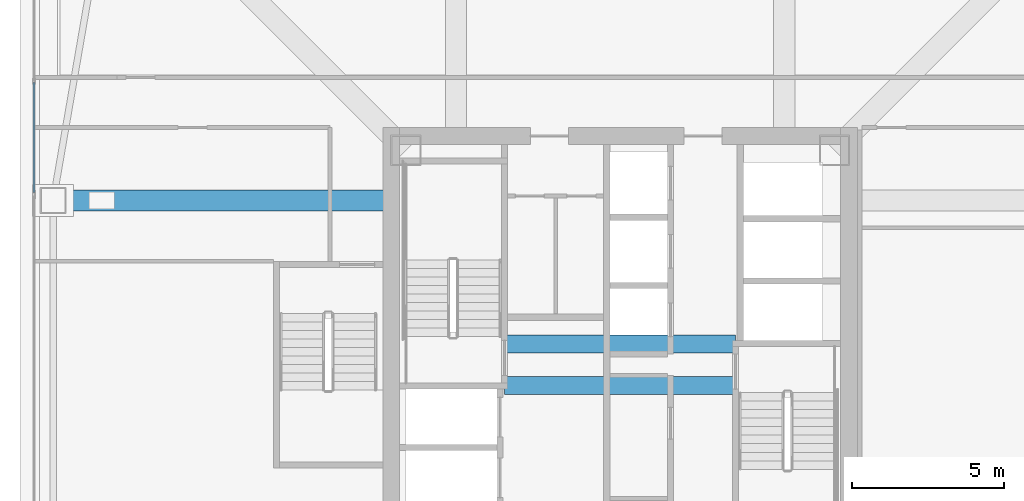
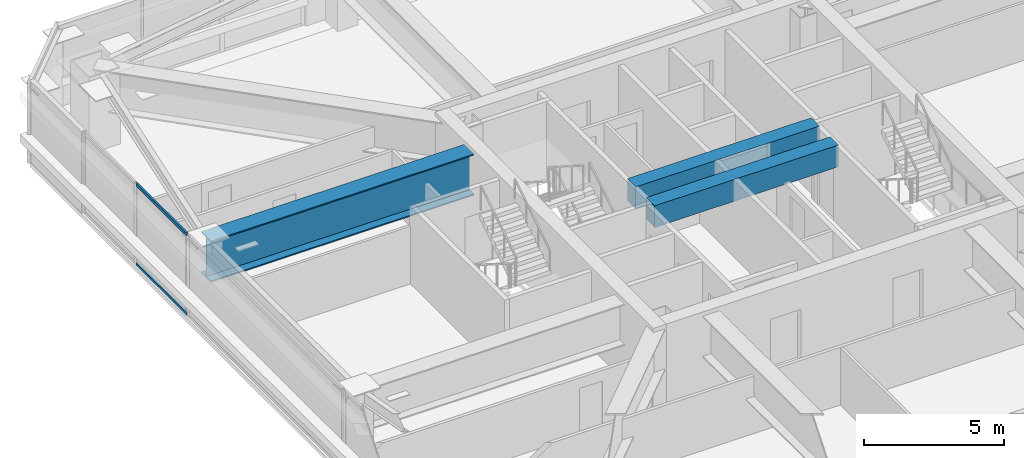
# One storey, part 8 of 42: 3 beams, 2 members, 1 element without a shape of its own.
"""IFC4 building model written with IfcOpenShell, lengths in metres."""

from ifc_helpers import new_model, si_unit, direction, frame, origin, origin_2d, place, context, subcontext, project, spatial, rectangle, hollow_rectangle, i_section, extrude, material, material_profile, profile_set, type_object, element, aggregate, save


model = new_model("IFC4")

# Units and contexts
model_context = context("Model", 3, precision=1e-05, world=origin(), true_north=direction((0.0, 1.0)))
body_context = subcontext(model_context, "Body", "Model", "MODEL_VIEW")
ifc_project = project(units=[si_unit("LENGTHUNIT", "METRE"), si_unit("AREAUNIT", "SQUARE_METRE"), si_unit("VOLUMEUNIT", "CUBIC_METRE"), si_unit("PLANEANGLEUNIT", "RADIAN"), si_unit("MASSUNIT", "GRAM", prefix="KILO")], contexts=[model_context])

# Site, building, storey
site_placement = place(None, origin())
site = spatial("IfcSite", under=ifc_project, at=site_placement, CompositionType="ELEMENT")
building_placement = place(site_placement, origin())
building = spatial("IfcBuilding", under=site, at=building_placement, Name="Tashvorn Skyway Center", CompositionType="ELEMENT")
storey_placement = place(building_placement, frame((0.0, 0.0, 153.449951171875)))
storey = spatial("IfcBuildingStorey", under=building, at=storey_placement, Name="L41", CompositionType="ELEMENT", Elevation=153.449951171875)

# Beams
ifc_material_1 = material(Name="Steel ASTM A572 Grade 50", Category="steel")
ifc_material_profile_1 = material_profile(ifc_material_1, i_section(OverallWidth=0.699951171875, OverallDepth=1.800048828125, WebThickness=0.031982421875, FlangeThickness=0.050048828125, at=origin_2d()), Name="PG1800x700")
ifc_profile_set_1 = profile_set([ifc_material_profile_1], Name="Steel ASTM A572 Grade 50")
beam_type_1 = type_object("IfcBeamType", Name="BM-BEAM-PG1800x700", PredefinedType="BEAM", material=ifc_profile_set_1)
beam_placement = place(storey_placement, frame((23.35009765625, 37.39990234375, 2.469970703125), z_axis=(1.0, 0.0, 0.0), x_axis=(0.0, 1.0, 0.0)))
element("IfcBeam", 1, at=beam_placement, inside=storey, type_object=beam_type_1, Name="Tower 1 L41 Setback Transfer Girder FC-W1", PredefinedType="BEAM", context=body_context, shape_type="SweptSolid", body=[
    extrude(i_section(OverallWidth=0.699951171875, OverallDepth=1.800048828125, WebThickness=0.031982421875, FlangeThickness=0.050048828125, at=origin_2d()), origin(), (0.0, 0.0, 1.0), 10.869873046875),
])
ifc_material_2 = material(Name="Concrete C60/75", Category="concrete")
ifc_material_profile_2 = material_profile(ifc_material_2, rectangle(XDim=0.60009765625, YDim=0.949951171875, at=origin_2d()), Name="RCB600x950")
ifc_profile_set_2 = profile_set([ifc_material_profile_2], Name="Concrete C60/75")
beam_type_2 = type_object("IfcBeamType", Name="BM-LINTEL-RCB600x950", PredefinedType="LINTEL", material=ifc_profile_set_2)
for number, where, z_axis, x_axis, name in (
    (2, (38.199951171875, 32.679931640625, 2.89501953125), (1.0, 0.0, 0.0), (0.0, 1.0, 0.0), "Tower 1 L41 Core Coupling Beam CN"),
    (3, (38.199951171875, 31.320068359375, 2.89501953125), (1.0, 0.0, 0.0), (0.0, 1.0, 0.0), "Tower 1 L41 Core Coupling Beam CS"),
):
    element("IfcBeam", number, at=place(storey_placement, frame(where, z_axis=z_axis, x_axis=x_axis)), inside=storey, type_object=beam_type_2, Name=name, PredefinedType="LINTEL", context=body_context, shape_type="SweptSolid", body=[
        extrude(rectangle(XDim=0.60009765625, YDim=0.949951171875, at=origin_2d()), origin(), (0.0, 0.0, 1.0), 7.60009765625),
    ])

# Curtain wall, members
ifc_material_3 = material(Name="Thermally broken bronze-anodized aluminium 6063-T6", Category="aluminium")
curtain_wall_type = type_object("IfcCurtainWallType", Name="CW-CW-Z3", PredefinedType="NOTDEFINED", material=ifc_material_3)
curtain_wall_placement = place(storey_placement, origin())
curtain_wall = element("IfcCurtainWall", 4, at=curtain_wall_placement, inside=storey, type_object=curtain_wall_type, Name="Tower 1 L41 West Unitised Curtain Wall Glazing Group 3", PredefinedType="NOTDEFINED")
ifc_material_profile_3 = material_profile(ifc_material_3, hollow_rectangle(XDim=0.074951171875, YDim=0.139892578125, WallThickness=0.004150390625, at=origin_2d()), Name="ALU-TRAN-75x140")
ifc_profile_set_3 = profile_set([ifc_material_profile_3], Name="Thermally broken bronze-anodized aluminium 6063-T6")
member_type = type_object("IfcMemberType", Name="CWT-CW-Z3", PredefinedType="USERDEFINED", material=ifc_profile_set_3)
member_1_placement = place(storey_placement, frame((22.719970703125, 37.668212890625, 0.03759765625), z_axis=(0.0, 1.0, 0.0), x_axis=(-1.0, 0.0, 0.0)))
member_1 = element("IfcMember", 5, at=member_1_placement, type_object=member_type, Name="CW-Z3 transom 1.1", ObjectType="TRANSOM", PredefinedType="USERDEFINED", context=body_context, shape_type="SweptSolid", body=[
    extrude(hollow_rectangle(XDim=0.074951171875, YDim=0.139892578125, WallThickness=0.004150390625, at=origin_2d()), origin(), (0.0, 0.0, 1.0), 3.616455078125),
])
member_2_placement = place(storey_placement, frame((22.719970703125, 37.668212890625, 3.512451171875), z_axis=(0.0, 1.0, 0.0), x_axis=(-1.0, 0.0, 0.0)))
member_2 = element("IfcMember", 6, at=member_2_placement, type_object=member_type, Name="CW-Z3 transom 1.2", ObjectType="TRANSOM", PredefinedType="USERDEFINED", context=body_context, shape_type="SweptSolid", body=[
    extrude(hollow_rectangle(XDim=0.074951171875, YDim=0.139892578125, WallThickness=0.004150390625, at=origin_2d()), origin(), (0.0, 0.0, 1.0), 3.616455078125),
])
aggregate(curtain_wall, [member_1, member_2])

save(model, "model.ifc")
